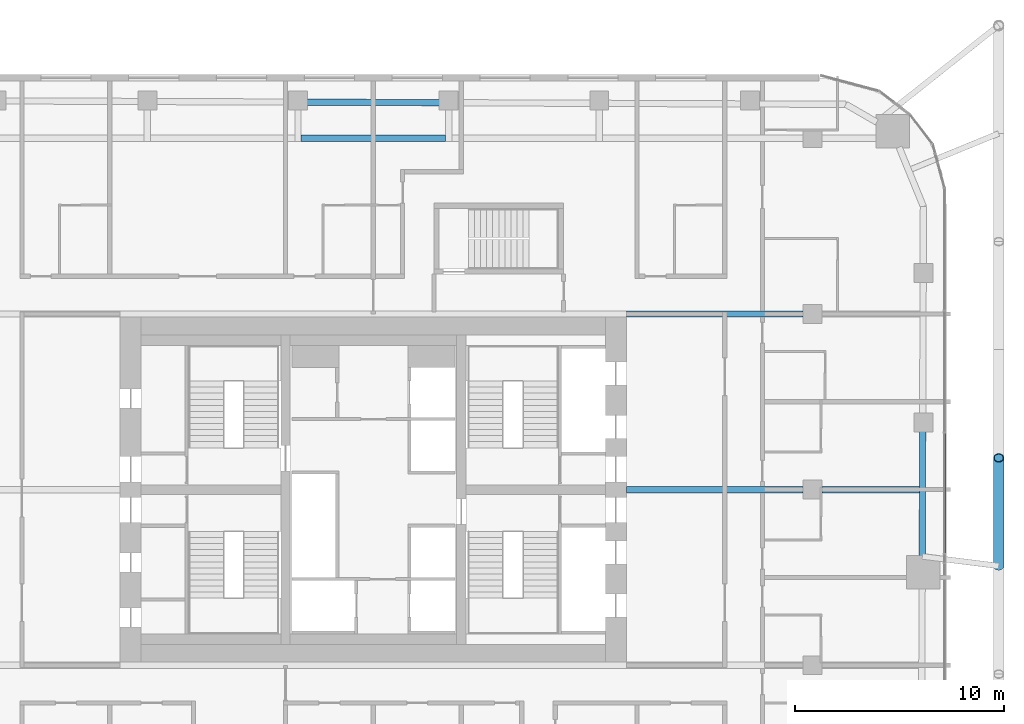
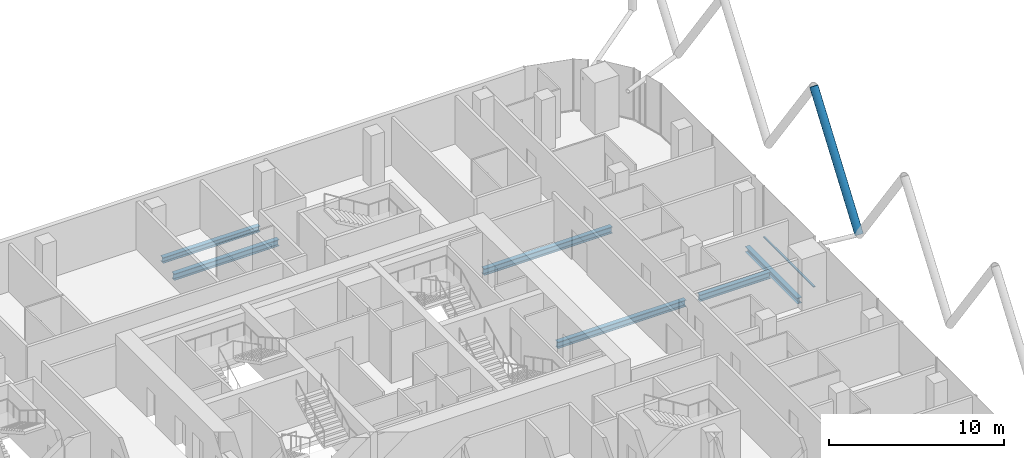
# One storey, part 12 of 36: 6 beams, 2 members, 1 element without a shape of its own.
"""IFC4 building model written with IfcOpenShell, lengths in metres."""

from ifc_helpers import new_model, si_unit, direction, frame, origin, origin_2d, place, context, subcontext, project, spatial, rectangle, hollow_circle, i_section, extrude, material, layer, layer_set, material_profile, profile_set, type_object, element, aggregate, save


model = new_model("IFC4")

# Units and contexts
model_context = context("Model", 3, precision=1e-05, world=origin(), true_north=direction((0.0, 1.0)))
body_context = subcontext(model_context, "Body", "Model", "MODEL_VIEW")
ifc_project = project(units=[si_unit("LENGTHUNIT", "METRE"), si_unit("AREAUNIT", "SQUARE_METRE"), si_unit("VOLUMEUNIT", "CUBIC_METRE"), si_unit("PLANEANGLEUNIT", "RADIAN"), si_unit("MASSUNIT", "GRAM", prefix="KILO")], contexts=[model_context])

# Site, building, storey
site_placement = place(None, origin())
site = spatial("IfcSite", under=ifc_project, at=site_placement, CompositionType="ELEMENT")
building_placement = place(site_placement, origin())
building = spatial("IfcBuilding", under=site, at=building_placement, Name="Marenta Gate Hotel Tower", CompositionType="ELEMENT")
storey_placement = place(building_placement, frame((0.0, 0.0, 144.5)))
storey = spatial("IfcBuildingStorey", under=building, at=storey_placement, Name="L33", CompositionType="ELEMENT", Elevation=144.5)

# Member
ifc_material_1 = material(Name="Steel S355J2W", Category="steel")
ifc_material_profile_1 = material_profile(ifc_material_1, hollow_circle(Radius=0.25390625, WallThickness=0.0400390625, at=origin_2d()), Name="CHS 508x40")
ifc_profile_set_1 = profile_set([ifc_material_profile_1], Name="Steel S355J2W")
member_type_1 = type_object("IfcMemberType", Name="Diagrid diagonal Z2 CHS 508x40", PredefinedType="BRACE", material=ifc_profile_set_1)
member_1_placement = place(storey_placement, frame((29.89990234375, 4.75, 3.139892578125), z_axis=(0.0, 0.583247791947, 0.812294289767), x_axis=(-1.0, 0.0, 0.0)))
element("IfcMember", 1, at=member_1_placement, inside=storey, type_object=member_type_1, Name="L33-DG-5", PredefinedType="BRACE", context=body_context, shape_type="SweptSolid", body=[
    extrude(hollow_circle(Radius=0.25390625, WallThickness=0.0400390625, at=origin_2d()), origin(), (0.0, 0.0, 1.0), 8.864013671875),
])

# Beams
ifc_material_2 = material(Name="Steel S355", Category="steel")
ifc_material_profile_2 = material_profile(ifc_material_2, i_section(OverallWidth=0.300048828125, OverallDepth=0.39990234375, WebThickness=0.013427734375, FlangeThickness=0.02392578125, FilletRadius=0.027099609375, at=origin_2d()), Name="HEB 400")
ifc_profile_set_2 = profile_set([ifc_material_profile_2], Name="Steel S355")
beam_type_1 = type_object("IfcBeamType", Name="Edge beam HEB 400", PredefinedType="SPANDREL", material=ifc_profile_set_2)
beam_1_placement = place(storey_placement, frame((-3.19140625, 26.926513671875, -0.4599609375), z_axis=(0.999991624938, -0.004092682982, 0.0), x_axis=(0.004092682982, 0.999991624938, 0.0)))
element("IfcBeam", 2, at=beam_1_placement, inside=storey, type_object=beam_type_1, Name="L33-EB-16", PredefinedType="SPANDREL", context=body_context, shape_type="SweptSolid", body=[
    extrude(i_section(OverallWidth=0.300048828125, OverallDepth=0.39990234375, WebThickness=0.013427734375, FlangeThickness=0.02392578125, FilletRadius=0.027099609375, at=origin_2d()), origin(), (0.0, 0.0, 1.0), 6.3828125),
])
beam_2_placement = place(storey_placement, frame((26.26416015625, 11.193115234375, -0.4599609375), z_axis=(-0.003305160059, -0.999994537944, 0.0), x_axis=(0.999994537944, -0.003305160059, 0.0)))
element("IfcBeam", 3, at=beam_2_placement, inside=storey, type_object=beam_type_1, Name="L33-EB-24", PredefinedType="SPANDREL", context=body_context, shape_type="SweptSolid", body=[
    extrude(i_section(OverallWidth=0.300048828125, OverallDepth=0.39990234375, WebThickness=0.013427734375, FlangeThickness=0.02392578125, FilletRadius=0.027099609375, at=origin_2d()), origin(), (0.0, 0.0, 1.0), 5.983154296875),
])
ifc_material_3 = material(Name="Steel S355", Category="steel")
ifc_material_profile_3 = material_profile(ifc_material_3, i_section(OverallWidth=0.300048828125, OverallDepth=0.449951171875, WebThickness=0.013916015625, FlangeThickness=0.02587890625, FilletRadius=0.027099609375, at=origin_2d()), Name="HEB 450")
ifc_profile_set_3 = profile_set([ifc_material_profile_3], Name="Steel S355")
beam_type_2 = type_object("IfcBeamType", Name="Girder HEB 450", PredefinedType="BEAM", material=ifc_profile_set_3)
beam_3_placement = place(storey_placement, frame((12.10009765625, 8.39990234375, -0.485107421875), z_axis=(1.0, 0.0, 0.0), x_axis=(0.0, 1.0, 0.0)))
element("IfcBeam", 4, at=beam_3_placement, inside=storey, type_object=beam_type_2, Name="L33-GD-22", PredefinedType="BEAM", context=body_context, shape_type="SweptSolid", body=[
    extrude(i_section(OverallWidth=0.300048828125, OverallDepth=0.449951171875, WebThickness=0.013916015625, FlangeThickness=0.02587890625, FilletRadius=0.027099609375, at=origin_2d()), origin(), (0.0, 0.0, 1.0), 8.449951171875),
])
beam_4_placement = place(storey_placement, frame((21.449951171875, 8.39990234375, -0.485107421875), z_axis=(1.0, 0.0, 0.0), x_axis=(0.0, 1.0, 0.0)))
element("IfcBeam", 5, at=beam_4_placement, inside=storey, type_object=beam_type_2, Name="L33-GD-23", PredefinedType="BEAM", context=body_context, shape_type="SweptSolid", body=[
    extrude(i_section(OverallWidth=0.300048828125, OverallDepth=0.449951171875, WebThickness=0.013916015625, FlangeThickness=0.02587890625, FilletRadius=0.027099609375, at=origin_2d()), origin(), (0.0, 0.0, 1.0), 4.655029296875),
])
beam_5_placement = place(storey_placement, frame((12.10009765625, 16.800048828125, -0.485107421875), z_axis=(1.0, 0.0, 0.0), x_axis=(0.0, 1.0, 0.0)))
element("IfcBeam", 6, at=beam_5_placement, inside=storey, type_object=beam_type_2, Name="L33-GD-27", PredefinedType="BEAM", context=body_context, shape_type="SweptSolid", body=[
    extrude(i_section(OverallWidth=0.300048828125, OverallDepth=0.449951171875, WebThickness=0.013916015625, FlangeThickness=0.02587890625, FilletRadius=0.027099609375, at=origin_2d()), origin(), (0.0, 0.0, 1.0), 8.449951171875),
])
beam_6_placement = place(storey_placement, frame((-3.451416015625, 25.199951171875, -0.485107421875), z_axis=(1.0, 0.0, 0.0), x_axis=(0.0, 1.0, 0.0)))
element("IfcBeam", 7, at=beam_6_placement, inside=storey, type_object=beam_type_2, Name="L33-GD-32", PredefinedType="BEAM", context=body_context, shape_type="SweptSolid", body=[
    extrude(i_section(OverallWidth=0.300048828125, OverallDepth=0.449951171875, WebThickness=0.013916015625, FlangeThickness=0.02587890625, FilletRadius=0.027099609375, at=origin_2d()), origin(), (0.0, 0.0, 1.0), 6.90283203125),
])

# Curtain wall, member
ifc_material_4 = material(Name="Tinted insulated glass in bronze anodised frame", Category="glass")
ifc_layer = layer(ifc_material_4, 0.1201171875)
ifc_layer_set = layer_set([ifc_layer], Name="Tinted insulated glass in bronze anodised frame")
curtain_wall_type = type_object("IfcCurtainWallType", Name="Tower unitised curtain wall CW1", PredefinedType="NOTDEFINED", material=ifc_layer_set)
curtain_wall_placement = place(storey_placement, origin())
curtain_wall = element("IfcCurtainWall", 8, at=curtain_wall_placement, inside=storey, type_object=curtain_wall_type, Name="CW1 run G35", PredefinedType="NOTDEFINED")
ifc_material_5 = material(Name="Bronze anodised aluminium", Category="aluminium")
ifc_material_profile_4 = material_profile(ifc_material_5, rectangle(XDim=0.1201171875, YDim=0.06005859375, at=origin_2d()), Name="Transom CW1 60x120 bronze anodised aluminium")
ifc_profile_set_4 = profile_set([ifc_material_profile_4], Name="Bronze anodised aluminium")
member_type_2 = type_object("IfcMemberType", Name="Transom CW1 60x120 bronze anodised aluminium", PredefinedType="USERDEFINED", material=ifc_profile_set_4)
member_2_placement = place(storey_placement, frame((27.31396484375, 5.36376953125, 0.030029296875), z_axis=(0.0, 1.0, 0.0), x_axis=(-1.0, 0.0, 0.0)))
member_2 = element("IfcMember", 9, at=member_2_placement, type_object=member_type_2, Name="CW1 transom 1.1", ObjectType="TRANSOM", PredefinedType="USERDEFINED", context=body_context, shape_type="SweptSolid", body=[
    extrude(rectangle(XDim=0.1201171875, YDim=0.06005859375, at=origin_2d()), origin(), (0.0, 0.0, 1.0), 5.7392578125),
])
aggregate(curtain_wall, [member_2])

save(model, "model.ifc")
